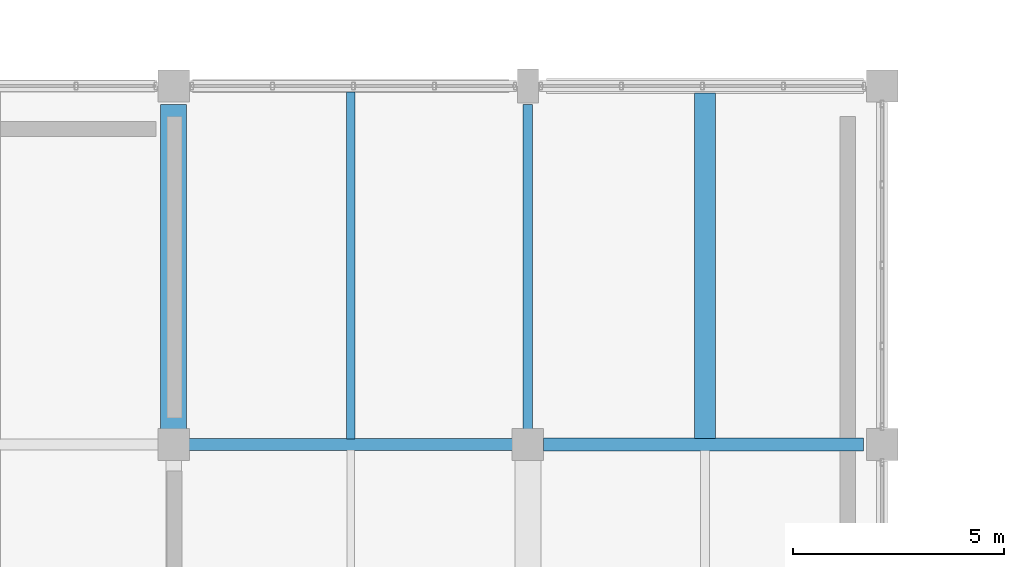
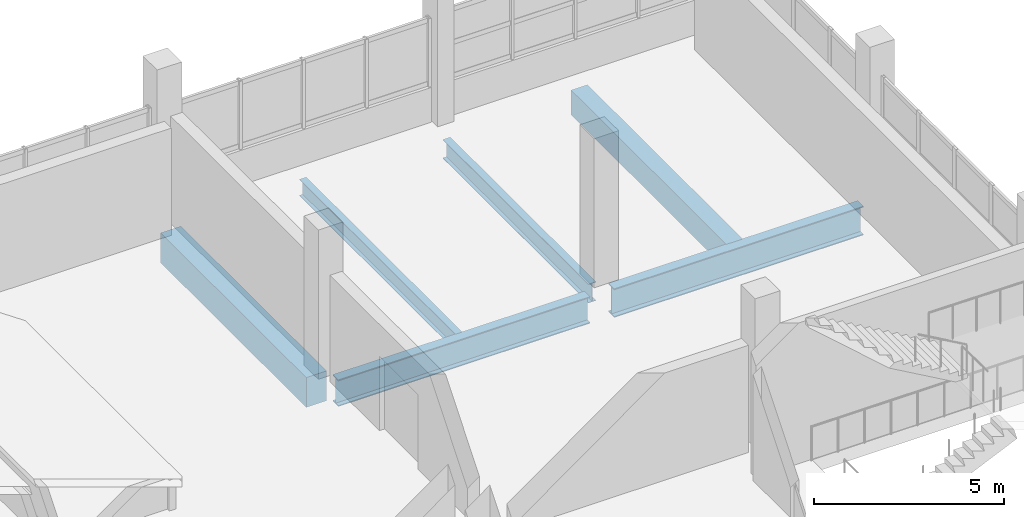
# One storey, part 69 of 117: 6 beams.
"""IFC4 building model written with IfcOpenShell, lengths in metres."""

import ifcopenshell
import ifcopenshell.guid

model = None  # the IFC model being written
_history = None  # IfcOwnerHistory: only IFC2X3 demands one
_inside = {}  # id of a spatial element -> (the spatial element, [elements in it])
_under = {}  # id of a project, library or spatial element -> (it, [spatial elements below it])
_declared = {}  # id of a project -> (the project, [libraries it declares])
_typed = {}  # id of a type object -> (the type object, [elements of that type])
_made_of = {}  # id of a material, layer set ... -> (it, [elements and type objects made of it])


def new_model(schema):
    """Start an empty IFC model of exactly this schema.

    Asked for "IFC4X3", IfcOpenShell would pick the latest addendum, in which some entities
    have other attributes; the version numbers below select the first issue.
    IFC2X3 requires an IfcOwnerHistory on every rooted entity: one is made here for all.
    """
    global model, _history
    if schema == "IFC4X3":
        model = ifcopenshell.file(schema_version=(4, 3, 0, 0))
    else:
        model = ifcopenshell.file(schema=schema)
    _inside.clear()
    _under.clear()
    _declared.clear()
    _typed.clear()
    _made_of.clear()
    _history = None
    if model.schema == "IFC2X3":
        org = make("IfcOrganization", Name="unknown")
        user = make(
            "IfcPersonAndOrganization",
            ThePerson=make("IfcPerson", FamilyName="unknown"),
            TheOrganization=org,
        )
        app = make(
            "IfcApplication",
            ApplicationDeveloper=org,
            Version="unknown",
            ApplicationFullName="unknown",
            ApplicationIdentifier="unknown",
        )
        _history = make(
            "IfcOwnerHistory",
            OwningUser=user,
            OwningApplication=app,
            ChangeAction="ADDED",
            CreationDate=0,
        )
    return model


def make(cls, **values):
    """One entity of the class cls with the attributes given. An attribute that is None is left unset."""
    return model.create_entity(
        cls, **{name: value for name, value in values.items() if value is not None}
    )


def rooted(cls, **values):
    """An entity with a GlobalId (a new one), such as an element, a storey or a relation."""
    return make(cls, GlobalId=ifcopenshell.guid.new(), OwnerHistory=_history, **values)


def si_unit(unit_type, name, prefix=None):
    """IfcSIUnit, for example si_unit("LENGTHUNIT", "METRE", prefix="MILLI")."""
    return make("IfcSIUnit", UnitType=unit_type, Prefix=prefix, Name=name)


def assignment(units):
    """IfcUnitAssignment: the units of a project."""
    return None if units is None else make("IfcUnitAssignment", Units=units)


def point(xyz):
    """IfcCartesianPoint."""
    return None if xyz is None else make("IfcCartesianPoint", Coordinates=xyz)


def direction(xyz):
    """IfcDirection."""
    return None if xyz is None else make("IfcDirection", DirectionRatios=xyz)


def frame(location, z_axis=None, x_axis=None):
    """IfcAxis2Placement3D, a coordinate frame: its origin and axes. An axis left out is left unset."""
    return make(
        "IfcAxis2Placement3D",
        Location=point(location),
        Axis=direction(z_axis),
        RefDirection=direction(x_axis),
    )


def frame_2d(location, x_axis=None):
    """IfcAxis2Placement2D, a coordinate frame in the plane: its origin and x axis."""
    return make(
        "IfcAxis2Placement2D", Location=point(location), RefDirection=direction(x_axis)
    )


def origin():
    """The frame at (0, 0, 0) with its axes left unset."""
    return frame((0.0, 0.0, 0.0))


def origin_2d():
    """The frame at (0, 0) in the plane with its x axis left unset."""
    return frame_2d((0.0, 0.0))


def place(relative_to, where):
    """IfcLocalPlacement: puts the frame where relative to a parent placement (None: the world)."""
    return make(
        "IfcLocalPlacement", PlacementRelTo=relative_to, RelativePlacement=where
    )


def context(
    kind, dimensions, precision=None, world=None, true_north=None, identifier=None
):
    """IfcGeometricRepresentationContext, for example the 3D "Model" context."""
    return make(
        "IfcGeometricRepresentationContext",
        ContextIdentifier=identifier,
        ContextType=kind,
        CoordinateSpaceDimension=dimensions,
        Precision=precision,
        WorldCoordinateSystem=world,
        TrueNorth=true_north,
    )


def subcontext(parent, identifier, kind, view, scale=None):
    """IfcGeometricRepresentationSubContext, for example "Body" below "Model"."""
    return make(
        "IfcGeometricRepresentationSubContext",
        ContextIdentifier=identifier,
        ContextType=kind,
        ParentContext=parent,
        TargetScale=scale,
        TargetView=view,
    )


def project(units=None, contexts=None):
    """IfcProject with its units and contexts."""
    return rooted(
        "IfcProject",
        Name="project",
        RepresentationContexts=contexts,
        UnitsInContext=assignment(units),
    )


def spatial(cls, under=None, at=None, **own):
    """A site, building, storey or space (cls), placed at a placement, below another one or the project."""
    s = rooted(cls, ObjectPlacement=at, **own)
    if under is not None:
        _under.setdefault(under.id(), (under, []))[1].append(s)
    return s


def profile(cls, at=None, kind="AREA", **sizes):
    """A parametric profile (cls). Its sizes go by their IFC names, for example OverallWidth=200.0."""
    return make(cls, ProfileType=kind, Position=at, **sizes)


def rectangle(**sizes):
    """IfcRectangleProfileDef."""
    return profile("IfcRectangleProfileDef", **sizes)


def i_section(**sizes):
    """IfcIShapeProfileDef."""
    return profile("IfcIShapeProfileDef", **sizes)


def extrude(swept, where, along, depth):
    """IfcExtrudedAreaSolid: the profile swept, set in the frame where, extruded along a direction by depth."""
    return make(
        "IfcExtrudedAreaSolid",
        SweptArea=swept,
        Position=where,
        ExtrudedDirection=direction(along),
        Depth=depth,
    )


def shape(context_of_items, identifier, shape_type, items):
    """IfcShapeRepresentation: the items that make up one representation, for example the "Body"."""
    return make(
        "IfcShapeRepresentation",
        ContextOfItems=context_of_items,
        RepresentationIdentifier=identifier,
        RepresentationType=shape_type,
        Items=items,
    )


def material(Name=None, Category=None):
    """IfcMaterial."""
    return make("IfcMaterial", Name=Name, Category=Category)


def material_profile(
    of_material, cross_section, Name=None, Category=None, Priority=None
):
    """IfcMaterialProfile: a cross section and its material."""
    return make(
        "IfcMaterialProfile",
        Name=Name,
        Material=of_material,
        Profile=cross_section,
        Priority=Priority,
        Category=Category,
    )


def profile_set(profiles, Name=None, composite=None):
    """IfcMaterialProfileSet."""
    return make(
        "IfcMaterialProfileSet",
        Name=Name,
        MaterialProfiles=profiles,
        CompositeProfile=composite,
    )


def made_of(thing, what):
    """Note that an element or type object is made of a material, layer set ...; save() writes the relation."""
    if what is not None:
        _made_of.setdefault(what.id(), (what, []))[1].append(thing)
    return thing


def type_object(cls, material=None, **own):
    """A type object (cls), such as IfcWallType, which elements share."""
    return made_of(rooted(cls, **own), material)


def element(
    cls,
    number,
    at=None,
    inside=None,
    cuts=None,
    type_object=None,
    material=None,
    context=None,
    identifier="Body",
    shape_type=None,
    held_by="IfcProductDefinitionShape",
    body=None,
    shapes=None,
    **own,
):
    """One element of the class cls, such as IfcWall. Its Tag is "e" and its number.

    at: its placement. inside: the storey or other place that contains it. cuts: it is an
    opening in that element (IfcRelVoidsElement). A single representation is given by context,
    identifier, shape_type and body (its items); several are given by shapes. held_by: the class
    of the entity that holds the representations. save() writes the other relations.
    """
    e = rooted(cls, Tag="e%d" % number, ObjectPlacement=at, **own)
    if body is not None:
        shapes = [shape(context, identifier, shape_type, body)]
    if shapes is not None:
        e.Representation = make(held_by, Representations=shapes)
    if inside is not None:
        _inside.setdefault(inside.id(), (inside, []))[1].append(e)
    if cuts is not None:
        rooted(
            "IfcRelVoidsElement", RelatingBuildingElement=cuts, RelatedOpeningElement=e
        )
    if type_object is not None:
        _typed.setdefault(type_object.id(), (type_object, []))[1].append(e)
    return made_of(e, material)


def aggregate(whole, parts):
    """IfcRelAggregates: a whole, such as a stair, and the parts it consists of."""
    return rooted("IfcRelAggregates", RelatingObject=whole, RelatedObjects=parts)


def save(model, path):
    """Write the relations noted so far, then the file.

    IfcRelAggregates (storeys below a building ...), IfcRelContainedInSpatialStructure (elements
    in a storey), IfcRelDefinesByType, IfcRelAssociatesMaterial and IfcRelDeclares: one each for
    every whole, place, type object, material and project.
    """
    for whole, parts in _under.values():
        aggregate(whole, parts)
    for where, things in _inside.values():
        rooted(
            "IfcRelContainedInSpatialStructure",
            RelatedElements=things,
            RelatingStructure=where,
        )
    for kind, things in _typed.values():
        rooted("IfcRelDefinesByType", RelatedObjects=things, RelatingType=kind)
    for what, things in _made_of.values():
        rooted("IfcRelAssociatesMaterial", RelatedObjects=things, RelatingMaterial=what)
    for by, libraries in _declared.values():
        rooted("IfcRelDeclares", RelatingContext=by, RelatedDefinitions=libraries)
    model.write(path)


model = new_model("IFC4")

# Units and contexts
model_context = context("Model", 3, precision=1e-05, world=origin(), true_north=direction((0.0, 1.0)))
body_context = subcontext(model_context, "Body", "Model", "MODEL_VIEW")
ifc_project = project(units=[si_unit("LENGTHUNIT", "METRE"), si_unit("AREAUNIT", "SQUARE_METRE"), si_unit("VOLUMEUNIT", "CUBIC_METRE"), si_unit("PLANEANGLEUNIT", "RADIAN"), si_unit("MASSUNIT", "GRAM", prefix="KILO")], contexts=[model_context])

# Site, building, storey
site_placement = place(None, origin())
site = spatial("IfcSite", under=ifc_project, at=site_placement, CompositionType="ELEMENT")
building_placement = place(site_placement, origin())
building = spatial("IfcBuilding", under=site, at=building_placement, Name="Solvento Point Concert Hall", CompositionType="ELEMENT")
storey_placement = place(building_placement, frame((0.0, 0.0, 5.39990234375)))
storey = spatial("IfcBuildingStorey", under=building, at=storey_placement, Name="L01", CompositionType="ELEMENT", Elevation=5.39990234375)

# Beams
ifc_material_1 = material(Name="Concrete C35/45", Category="concrete")
ifc_material_profile_1 = material_profile(ifc_material_1, rectangle(XDim=0.5, YDim=0.800048828125, at=origin_2d()), Name="RC-BM-500X800")
ifc_profile_set_1 = profile_set([ifc_material_profile_1], Name="Concrete C35/45")
beam_type_1 = type_object("IfcBeamType", Name="Beam_RC_500x800", PredefinedType="BEAM", material=ifc_profile_set_1)
beam_1_placement = place(storey_placement, frame((204.60009765625, 17.138671875, -0.823974609375), z_axis=(0.0, 1.0, 0.0), x_axis=(-1.0, 0.0, 0.0)))
element("IfcBeam", 1, at=beam_1_placement, inside=storey, type_object=beam_type_1, Name="Secondary floor joist B-63 L01", PredefinedType="BEAM", context=body_context, shape_type="SweptSolid", body=[
    extrude(rectangle(XDim=0.5, YDim=0.800048828125, at=origin_2d()), origin(), (0.0, 0.0, 1.0), 8.19580078125),
])
ifc_material_2 = material(Name="Structural Steel ASTM A992 Grade 50", Category="steel")
ifc_material_profile_2 = material_profile(ifc_material_2, i_section(OverallWidth=0.20947265625, OverallDepth=0.532958984375, WebThickness=0.01025390625, FlangeThickness=0.015625, at=origin_2d()), Name="W21X62")
ifc_profile_set_2 = profile_set([ifc_material_profile_2], Name="Structural Steel ASTM A992 Grade 50")
beam_type_2 = type_object("IfcBeamType", Name="Beam_W21X62", PredefinedType="BEAM", material=ifc_profile_set_2)
beam_2_placement = place(storey_placement, frame((196.199951171875, 17.131103515625, -0.6904296875), z_axis=(0.0, 1.0, 0.0), x_axis=(-1.0, 0.0, 0.0)))
element("IfcBeam", 2, at=beam_2_placement, inside=storey, type_object=beam_type_2, Name="Secondary floor joist B-25 L01", PredefinedType="BEAM", context=body_context, shape_type="SweptSolid", body=[
    extrude(i_section(OverallWidth=0.20947265625, OverallDepth=0.532958984375, WebThickness=0.01025390625, FlangeThickness=0.015625, at=origin_2d()), origin(), (0.0, 0.0, 1.0), 8.230224609375),
])
ifc_material_3 = material(Name="Structural Steel ASTM A992 Grade 50", Category="steel")
ifc_material_profile_3 = material_profile(ifc_material_3, i_section(OverallWidth=0.228515625, OverallDepth=0.60791015625, WebThickness=0.01123046875, FlangeThickness=0.017333984375, at=origin_2d()), Name="W24X76")
ifc_profile_set_3 = profile_set([ifc_material_profile_3], Name="Structural Steel ASTM A992 Grade 50")
beam_type_3 = type_object("IfcBeamType", Name="Beam_W24X76", PredefinedType="BEAM", material=ifc_profile_set_3)
beam_3_placement = place(storey_placement, frame((200.39990234375, 17.368896484375, -0.727783203125), z_axis=(0.0, 1.0, 0.0), x_axis=(-1.0, 0.0, 0.0)))
element("IfcBeam", 3, at=beam_3_placement, inside=storey, type_object=beam_type_3, Name="Primary girder B-42 L01", PredefinedType="BEAM", context=body_context, shape_type="SweptSolid", body=[
    extrude(i_section(OverallWidth=0.228515625, OverallDepth=0.60791015625, WebThickness=0.01123046875, FlangeThickness=0.017333984375, at=origin_2d()), origin(), (0.0, 0.0, 1.0), 7.68701171875),
])
ifc_material_4 = material(Name="Concrete C35/45", Category="concrete")
ifc_material_profile_4 = material_profile(ifc_material_4, rectangle(XDim=0.6201171875, YDim=0.9599609375, at=origin_2d()), Name="RC-BM-620X960")
ifc_profile_set_4 = profile_set([ifc_material_profile_4], Name="Concrete C35/45")
beam_type_4 = type_object("IfcBeamType", Name="Girder_RC_620x960", PredefinedType="USERDEFINED", material=ifc_profile_set_4)
beam_4_placement = place(storey_placement, frame((192.0, 17.368896484375, -0.90380859375), z_axis=(0.0, 1.0, 0.0), x_axis=(-1.0, 0.0, 0.0)))
element("IfcBeam", 4, at=beam_4_placement, inside=storey, type_object=beam_type_4, Name="Primary girder B-69 L01", ObjectType="GIRDER", PredefinedType="USERDEFINED", context=body_context, shape_type="SweptSolid", body=[
    extrude(rectangle(XDim=0.6201171875, YDim=0.9599609375, at=origin_2d()), origin(), (0.0, 0.0, 1.0), 7.68701171875),
])
ifc_material_5 = material(Name="Structural Steel ASTM A992 Grade 50", Category="steel")
ifc_material_profile_5 = material_profile(ifc_material_5, i_section(OverallWidth=0.2919921875, OverallDepth=0.85888671875, WebThickness=0.01708984375, FlangeThickness=0.031005859375, at=origin_2d()), Name="W33X169")
ifc_profile_set_5 = profile_set([ifc_material_profile_5], Name="Structural Steel ASTM A992 Grade 50")
beam_type_5 = type_object("IfcBeamType", Name="Girder_W33X169", PredefinedType="USERDEFINED", material=ifc_profile_set_5)
beam_5_placement = place(storey_placement, frame((192.368896484375, 17.0, -0.853515625), z_axis=(1.0, 0.0, 0.0), x_axis=(0.0, 1.0, 0.0)))
element("IfcBeam", 5, at=beam_5_placement, inside=storey, type_object=beam_type_5, Name="Primary girder B-33 L01", ObjectType="GIRDER", PredefinedType="USERDEFINED", context=body_context, shape_type="SweptSolid", body=[
    extrude(i_section(OverallWidth=0.2919921875, OverallDepth=0.85888671875, WebThickness=0.01708984375, FlangeThickness=0.031005859375, at=origin_2d()), origin(), (0.0, 0.0, 1.0), 7.662109375),
])
ifc_material_6 = material(Name="Structural Steel ASTM A992 Grade 50", Category="steel")
ifc_material_profile_6 = material_profile(ifc_material_6, i_section(OverallWidth=0.3076171875, OverallDepth=0.927001953125, WebThickness=0.019287109375, FlangeThickness=0.031982421875, at=origin_2d()), Name="W36X194")
ifc_profile_set_6 = profile_set([ifc_material_profile_6], Name="Structural Steel ASTM A992 Grade 50")
beam_type_6 = type_object("IfcBeamType", Name="Girder_W36X194", PredefinedType="USERDEFINED", material=ifc_profile_set_6)
beam_6_placement = place(storey_placement, frame((200.76904296875, 17.0, -0.887451171875), z_axis=(1.0, 0.0, 0.0), x_axis=(0.0, 1.0, 0.0)))
element("IfcBeam", 6, at=beam_6_placement, inside=storey, type_object=beam_type_6, Name="Primary girder B-61 L01", ObjectType="GIRDER", PredefinedType="USERDEFINED", context=body_context, shape_type="SweptSolid", body=[
    extrude(i_section(OverallWidth=0.3076171875, OverallDepth=0.927001953125, WebThickness=0.019287109375, FlangeThickness=0.031982421875, at=origin_2d()), origin(), (0.0, 0.0, 1.0), 7.5869140625),
])

save(model, "model.ifc")
